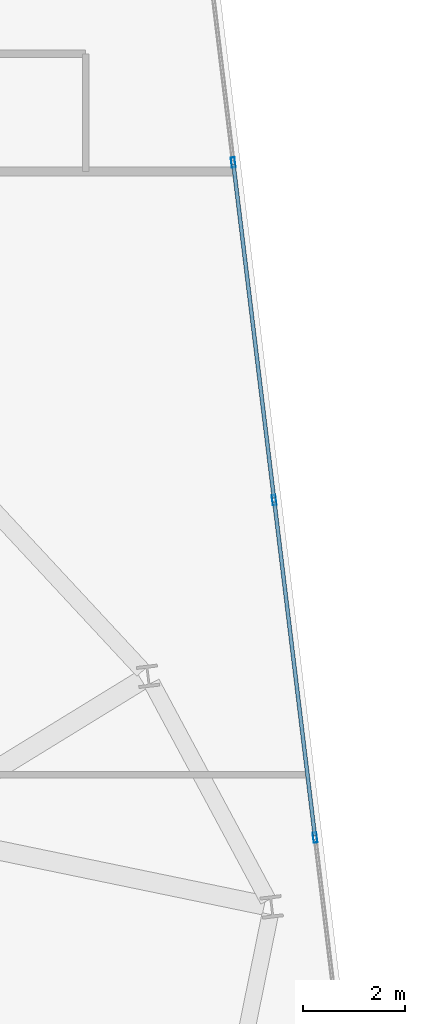
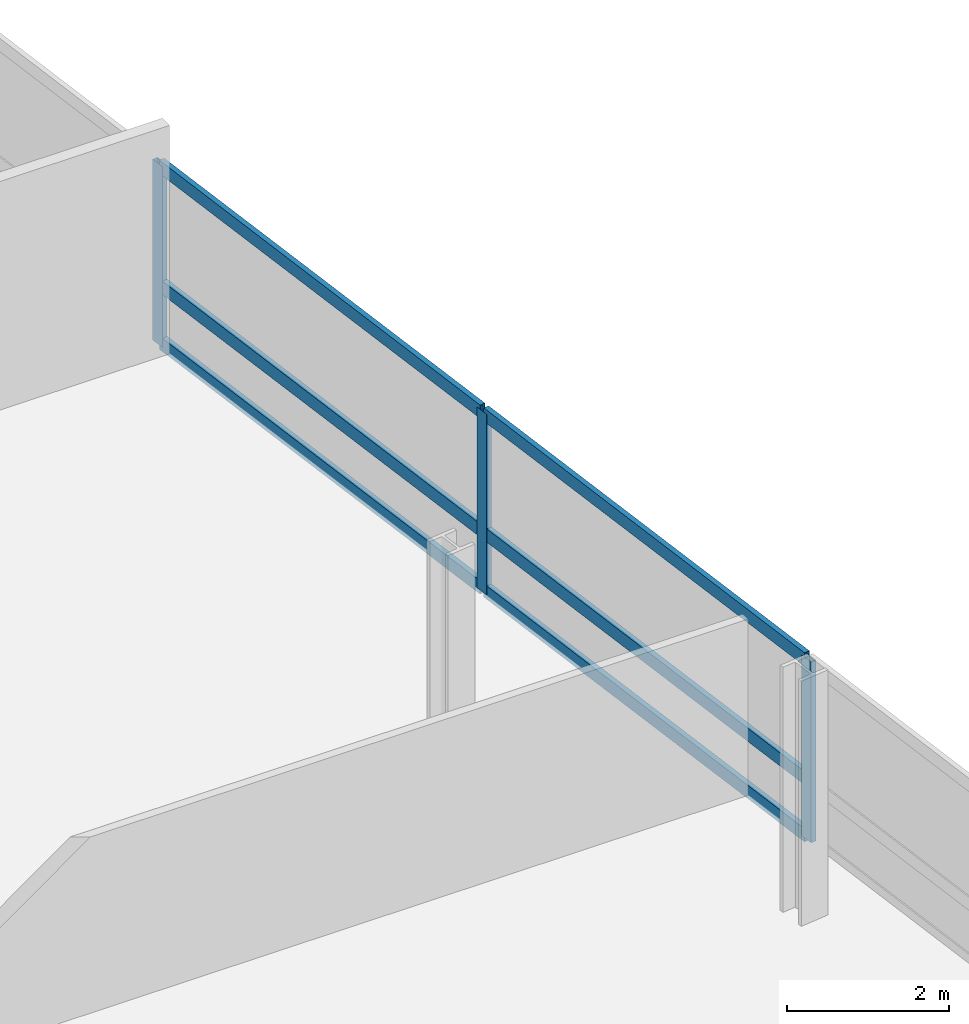
# One storey, part 11 of 23: 9 members, 1 element without a shape of its own.
"""IFC4 building model written with IfcOpenShell, lengths in metres."""

from ifc_helpers import new_model, si_unit, direction, frame, origin, origin_2d, place, context, subcontext, project, spatial, hollow_rectangle, extrude, material, layer, layer_set, material_profile, profile_set, type_object, element, aggregate, save


model = new_model("IFC4")

# Units and contexts
model_context = context("Model", 3, precision=1e-05, world=origin(), true_north=direction((0.0, 1.0)))
body_context = subcontext(model_context, "Body", "Model", "MODEL_VIEW")
ifc_project = project(units=[si_unit("LENGTHUNIT", "METRE"), si_unit("AREAUNIT", "SQUARE_METRE"), si_unit("VOLUMEUNIT", "CUBIC_METRE"), si_unit("PLANEANGLEUNIT", "RADIAN"), si_unit("MASSUNIT", "GRAM", prefix="KILO")], contexts=[model_context])

# Site, building, storey
site_placement = place(None, origin())
site = spatial("IfcSite", under=ifc_project, at=site_placement, CompositionType="ELEMENT")
building_placement = place(site_placement, origin())
building = spatial("IfcBuilding", under=site, at=building_placement, Name="Varnelok Gate Tower", CompositionType="ELEMENT")
storey_placement = place(building_placement, frame((0.0, 0.0, 193.10009765625)))
storey = spatial("IfcBuildingStorey", under=building, at=storey_placement, Name="L49", CompositionType="ELEMENT", Elevation=193.10009765625)

# Curtain wall, members
ifc_material = material(Name="Anodized Aluminum Alloy 6063-T6", Category="aluminium")
ifc_layer = layer(ifc_material, 0.179931640625)
ifc_layer_set = layer_set([ifc_layer], Name="Anodized Aluminum Alloy 6063-T6")
curtain_wall_type = type_object("IfcCurtainWallType", Name="CW4-RESIDENCE-VISION", PredefinedType="USERDEFINED", material=ifc_layer_set)
curtain_wall_placement = place(storey_placement, origin())
curtain_wall = element("IfcCurtainWall", 1, at=curtain_wall_placement, inside=storey, type_object=curtain_wall_type, Name="L49 East End Vision Curtain Wall", ObjectType="UNITISED CURTAIN WALL", PredefinedType="USERDEFINED")
ifc_material_profile_1 = material_profile(ifc_material, hollow_rectangle(XDim=0.074951171875, YDim=0.199951171875, WallThickness=0.00390625, at=origin_2d()), Name="ALU200X75X4")
ifc_profile_set_1 = profile_set([ifc_material_profile_1], Name="Anodized Aluminum Alloy 6063-T6")
member_type_1 = type_object("IfcMemberType", Name="CW-MULL-200", PredefinedType="MULLION", material=ifc_profile_set_1)
member_1_placement = place(storey_placement, frame((72.898681640625, 39.478515625, 0.0), z_axis=(0.0, 0.0, 1.0), x_axis=(0.992732188751, 0.120344511371, 0.0)))
member_1 = element("IfcMember", 2, at=member_1_placement, type_object=member_type_1, Name="CW4 mullion 2", PredefinedType="MULLION", context=body_context, shape_type="SweptSolid", body=[
    extrude(hollow_rectangle(XDim=0.074951171875, YDim=0.199951171875, WallThickness=0.00390625, at=origin_2d()), origin(), (0.0, 0.0, 1.0), 2.72998046875),
])
member_2_placement = place(storey_placement, frame((73.702392578125, 32.846923828125, 0.0), z_axis=(0.0, 0.0, 1.0), x_axis=(0.992732188751, 0.120344511371, 0.0)))
member_2 = element("IfcMember", 3, at=member_2_placement, type_object=member_type_1, Name="CW4 mullion 3", PredefinedType="MULLION", context=body_context, shape_type="SweptSolid", body=[
    extrude(hollow_rectangle(XDim=0.074951171875, YDim=0.199951171875, WallThickness=0.00390625, at=origin_2d()), origin(), (0.0, 0.0, 1.0), 2.72998046875),
])
member_3_placement = place(storey_placement, frame((74.50634765625, 26.215576171875, 0.0), z_axis=(0.0, 0.0, 1.0), x_axis=(0.992732188751, 0.120344511371, 0.0)))
member_3 = element("IfcMember", 4, at=member_3_placement, type_object=member_type_1, Name="CW4 mullion 4", PredefinedType="MULLION", context=body_context, shape_type="SweptSolid", body=[
    extrude(hollow_rectangle(XDim=0.074951171875, YDim=0.199951171875, WallThickness=0.00390625, at=origin_2d()), origin(), (0.0, 0.0, 1.0), 2.72998046875),
])
ifc_material_profile_2 = material_profile(ifc_material, hollow_rectangle(XDim=0.074951171875, YDim=0.199951171875, WallThickness=0.00390625, at=origin_2d()), Name="ALU200X75X4")
ifc_profile_set_2 = profile_set([ifc_material_profile_2], Name="Anodized Aluminum Alloy 6063-T6")
member_type_2 = type_object("IfcMemberType", Name="CW-TRAN-200", PredefinedType="USERDEFINED", material=ifc_profile_set_2)
member_4_placement = place(storey_placement, frame((72.903076171875, 39.441162109375, 0.037353515625), z_axis=(0.120353445289, -0.992731105691, 0.0), x_axis=(0.992731105691, 0.120353445289, 0.0)))
member_4 = element("IfcMember", 5, at=member_4_placement, type_object=member_type_2, Name="CW4 transom 2.1", ObjectType="TRANSOM", PredefinedType="USERDEFINED", context=body_context, shape_type="SweptSolid", body=[
    extrude(hollow_rectangle(XDim=0.074951171875, YDim=0.199951171875, WallThickness=0.00390625, at=origin_2d()), origin(), (0.0, 0.0, 1.0), 6.60498046875),
])
member_5_placement = place(storey_placement, frame((72.903076171875, 39.441162109375, 0.89990234375), z_axis=(0.120353445289, -0.992731105691, 0.0), x_axis=(0.992731105691, 0.120353445289, 0.0)))
member_5 = element("IfcMember", 6, at=member_5_placement, type_object=member_type_2, Name="CW4 transom 2.2", ObjectType="TRANSOM", PredefinedType="USERDEFINED", context=body_context, shape_type="SweptSolid", body=[
    extrude(hollow_rectangle(XDim=0.074951171875, YDim=0.199951171875, WallThickness=0.00390625, at=origin_2d()), origin(), (0.0, 0.0, 1.0), 6.60498046875),
])
member_6_placement = place(storey_placement, frame((72.903076171875, 39.441162109375, 2.6923828125), z_axis=(0.120353445289, -0.992731105691, 0.0), x_axis=(0.992731105691, 0.120353445289, 0.0)))
member_6 = element("IfcMember", 7, at=member_6_placement, type_object=member_type_2, Name="CW4 transom 2.3", ObjectType="TRANSOM", PredefinedType="USERDEFINED", context=body_context, shape_type="SweptSolid", body=[
    extrude(hollow_rectangle(XDim=0.074951171875, YDim=0.199951171875, WallThickness=0.00390625, at=origin_2d()), origin(), (0.0, 0.0, 1.0), 6.60498046875),
])
member_7_placement = place(storey_placement, frame((73.70703125, 32.809814453125, 0.037353515625), z_axis=(0.120349029092, -0.992731641078, 0.0), x_axis=(0.992731641078, 0.120349029092, 0.0)))
member_7 = element("IfcMember", 8, at=member_7_placement, type_object=member_type_2, Name="CW4 transom 3.1", ObjectType="TRANSOM", PredefinedType="USERDEFINED", context=body_context, shape_type="SweptSolid", body=[
    extrude(hollow_rectangle(XDim=0.074951171875, YDim=0.199951171875, WallThickness=0.00390625, at=origin_2d()), origin(), (0.0, 0.0, 1.0), 6.605224609375),
])
member_8_placement = place(storey_placement, frame((73.70703125, 32.809814453125, 0.89990234375), z_axis=(0.120349029092, -0.992731641078, 0.0), x_axis=(0.992731641078, 0.120349029092, 0.0)))
member_8 = element("IfcMember", 9, at=member_8_placement, type_object=member_type_2, Name="CW4 transom 3.2", ObjectType="TRANSOM", PredefinedType="USERDEFINED", context=body_context, shape_type="SweptSolid", body=[
    extrude(hollow_rectangle(XDim=0.074951171875, YDim=0.199951171875, WallThickness=0.00390625, at=origin_2d()), origin(), (0.0, 0.0, 1.0), 6.605224609375),
])
member_9_placement = place(storey_placement, frame((73.70703125, 32.809814453125, 2.6923828125), z_axis=(0.120349029092, -0.992731641078, 0.0), x_axis=(0.992731641078, 0.120349029092, 0.0)))
member_9 = element("IfcMember", 10, at=member_9_placement, type_object=member_type_2, Name="CW4 transom 3.3", ObjectType="TRANSOM", PredefinedType="USERDEFINED", context=body_context, shape_type="SweptSolid", body=[
    extrude(hollow_rectangle(XDim=0.074951171875, YDim=0.199951171875, WallThickness=0.00390625, at=origin_2d()), origin(), (0.0, 0.0, 1.0), 6.605224609375),
])
aggregate(curtain_wall, [member_1, member_2, member_3, member_4, member_5, member_6, member_7, member_8, member_9])

save(model, "model.ifc")
